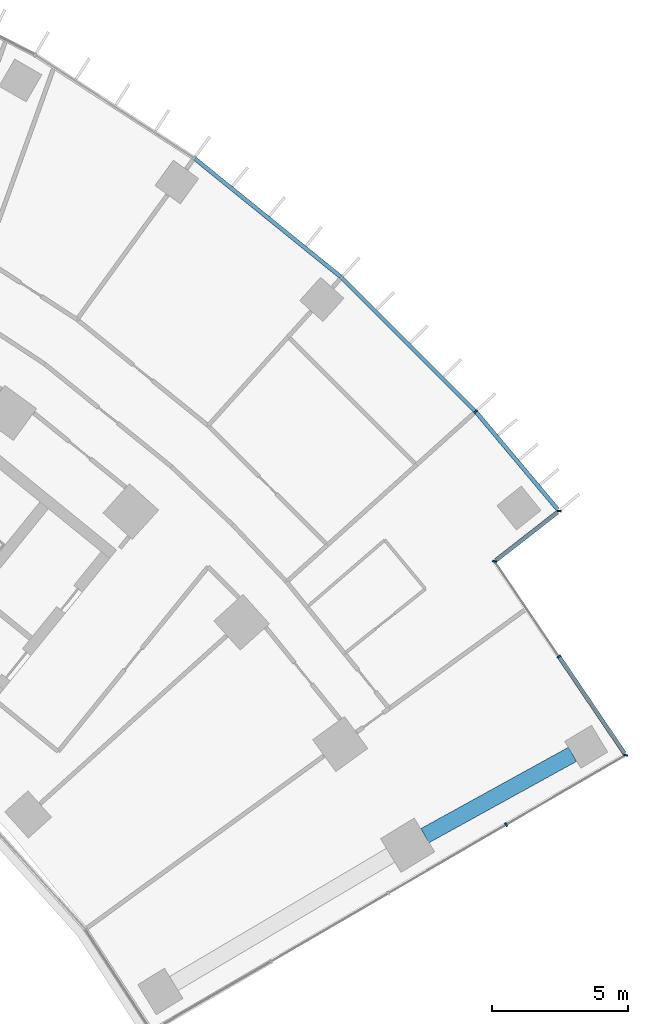
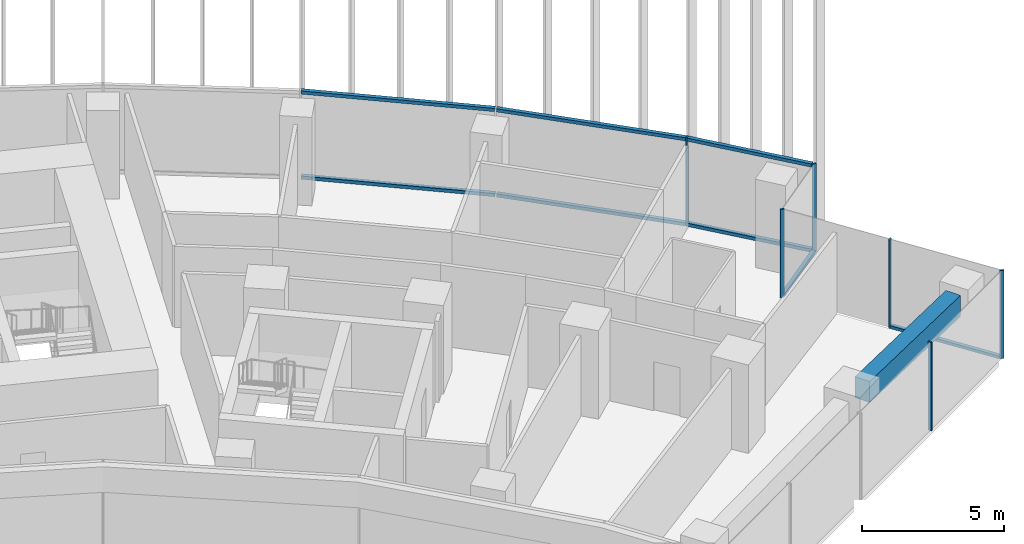
# One storey, part 10 of 22: 14 members, 1 beam, 4 elements without a shape of their own.
"""IFC4 building model written with IfcOpenShell, lengths in metres."""

from ifc_helpers import new_model, si_unit, direction, frame, origin, origin_2d, place, context, subcontext, project, spatial, rectangle, extrude, material, layer, layer_set, material_profile, profile_set, type_object, element, aggregate, save


model = new_model("IFC4")

# Units and contexts
model_context = context("Model", 3, precision=1e-05, world=origin(), true_north=direction((0.0, 1.0)))
body_context = subcontext(model_context, "Body", "Model", "MODEL_VIEW")
ifc_project = project(units=[si_unit("LENGTHUNIT", "METRE"), si_unit("AREAUNIT", "SQUARE_METRE"), si_unit("VOLUMEUNIT", "CUBIC_METRE"), si_unit("PLANEANGLEUNIT", "RADIAN"), si_unit("MASSUNIT", "GRAM", prefix="KILO")], contexts=[model_context])

# Site, building, storey
site_placement = place(None, origin())
site = spatial("IfcSite", under=ifc_project, at=site_placement, CompositionType="ELEMENT")
building_placement = place(site_placement, origin())
building = spatial("IfcBuilding", under=site, at=building_placement, Name="Stone Belt Terrace Tower", CompositionType="ELEMENT")
storey_placement = place(building_placement, frame((0.0, 0.0, 109.800048828125)))
storey = spatial("IfcBuildingStorey", under=building, at=storey_placement, Name="L26", CompositionType="ELEMENT", Elevation=109.800048828125)

# Curtain wall, members
ifc_material_1 = material(Name="Aluminium 6063-T6 anodised frame", Category="aluminium")
ifc_layer_1 = layer(ifc_material_1, 0.14990234375)
ifc_layer_set_1 = layer_set([ifc_layer_1], Name="CW-A unitised convex-face curtain wall")
curtain_wall_type_1 = type_object("IfcCurtainWallType", Name="CW-A unitised convex-face curtain wall", PredefinedType="NOTDEFINED", material=ifc_layer_set_1)
curtain_wall_1_placement = place(storey_placement, origin())
curtain_wall_1 = element("IfcCurtainWall", 1, at=curtain_wall_1_placement, inside=storey, type_object=curtain_wall_type_1, Name="CW-A convex face L26", PredefinedType="NOTDEFINED")
ifc_material_profile_1 = material_profile(ifc_material_1, rectangle(XDim=0.14990234375, YDim=0.06005859375, at=origin_2d()), Name="Aluminium 6063-T6 60x150")
ifc_profile_set_1 = profile_set([ifc_material_profile_1], Name="Aluminium 6063-T6 anodised frame")
member_type_1 = type_object("IfcMemberType", Name="CW-A mullion 60 x 150", PredefinedType="MULLION", material=ifc_profile_set_1)
member_1_placement = place(storey_placement, frame((52.539794921875, 40.89208984375, 0.0), z_axis=(0.0, 0.0, 1.0), x_axis=(-0.994464768622, 0.105070566623, 0.0)))
member_1 = element("IfcMember", 2, at=member_1_placement, type_object=member_type_1, Name="CW-A mullion 1", PredefinedType="MULLION", context=body_context, shape_type="SweptSolid", body=[
    extrude(rectangle(XDim=0.14990234375, YDim=0.06005859375, at=origin_2d()), origin(), (0.0, 0.0, 1.0), 3.800048828125),
])
member_2_placement = place(storey_placement, frame((49.474609375, 44.5478515625, 0.0), z_axis=(0.0, 0.0, 1.0), x_axis=(-0.737400080522, -0.675456231925, 0.0)))
member_2 = element("IfcMember", 3, at=member_2_placement, type_object=member_type_1, Name="CW-A mullion 2", PredefinedType="MULLION", context=body_context, shape_type="SweptSolid", body=[
    extrude(rectangle(XDim=0.14990234375, YDim=0.06005859375, at=origin_2d()), origin(), (0.0, 0.0, 1.0), 3.800048828125),
])
ifc_material_profile_2 = material_profile(ifc_material_1, rectangle(XDim=0.14990234375, YDim=0.139892578125, at=origin_2d()), Name="Aluminium 6063-T6 150x140")
ifc_profile_set_2 = profile_set([ifc_material_profile_2], Name="Aluminium 6063-T6 anodised frame")
member_type_2 = type_object("IfcMemberType", Name="CW-A transom 140 x 150", PredefinedType="USERDEFINED", material=ifc_profile_set_2)
member_3_placement = place(storey_placement, frame((52.49169921875, 40.949462890625, 0.070068359375), z_axis=(-0.642504178028, 0.766282181195, 0.0), x_axis=(-0.766282181195, -0.642504178028, 0.0)))
member_3 = element("IfcMember", 4, at=member_3_placement, type_object=member_type_2, Name="CW-A transom 1.1", ObjectType="TRANSOM", PredefinedType="USERDEFINED", context=body_context, shape_type="SweptSolid", body=[
    extrude(rectangle(XDim=0.14990234375, YDim=0.139892578125, at=origin_2d()), origin(), (0.0, 0.0, 1.0), 4.662841796875),
])
member_4_placement = place(storey_placement, frame((52.49169921875, 40.949462890625, 3.72998046875), z_axis=(-0.642504178028, 0.766282181195, 0.0), x_axis=(-0.766282181195, -0.642504178028, 0.0)))
member_4 = element("IfcMember", 5, at=member_4_placement, type_object=member_type_2, Name="CW-A transom 1.2", ObjectType="TRANSOM", PredefinedType="USERDEFINED", context=body_context, shape_type="SweptSolid", body=[
    extrude(rectangle(XDim=0.14990234375, YDim=0.139892578125, at=origin_2d()), origin(), (0.0, 0.0, 1.0), 4.662841796875),
])
member_5_placement = place(storey_placement, frame((49.450927734375, 44.5712890625, 0.070068359375), z_axis=(-0.707106781187, 0.707106781187, 0.0), x_axis=(-0.707106781187, -0.707106781187, 0.0)))
member_5 = element("IfcMember", 6, at=member_5_placement, type_object=member_type_2, Name="CW-A transom 2.1", ObjectType="TRANSOM", PredefinedType="USERDEFINED", context=body_context, shape_type="SweptSolid", body=[
    extrude(rectangle(XDim=0.14990234375, YDim=0.139892578125, at=origin_2d()), origin(), (0.0, 0.0, 1.0), 6.90087890625),
])
member_6_placement = place(storey_placement, frame((49.450927734375, 44.5712890625, 3.72998046875), z_axis=(-0.707106781187, 0.707106781187, 0.0), x_axis=(-0.707106781187, -0.707106781187, 0.0)))
member_6 = element("IfcMember", 7, at=member_6_placement, type_object=member_type_2, Name="CW-A transom 2.2", ObjectType="TRANSOM", PredefinedType="USERDEFINED", context=body_context, shape_type="SweptSolid", body=[
    extrude(rectangle(XDim=0.14990234375, YDim=0.139892578125, at=origin_2d()), origin(), (0.0, 0.0, 1.0), 6.90087890625),
])
member_7_placement = place(storey_placement, frame((44.52099609375, 49.496337890625, 0.070068359375), z_axis=(-0.777141048626, 0.629326457842, 0.0), x_axis=(-0.629326457842, -0.777141048626, 0.0)))
member_7 = element("IfcMember", 8, at=member_7_placement, type_object=member_type_2, Name="CW-A transom 3.1", ObjectType="TRANSOM", PredefinedType="USERDEFINED", context=body_context, shape_type="SweptSolid", body=[
    extrude(rectangle(XDim=0.14990234375, YDim=0.139892578125, at=origin_2d()), origin(), (0.0, 0.0, 1.0), 6.900634765625),
])
member_8_placement = place(storey_placement, frame((44.52099609375, 49.496337890625, 3.72998046875), z_axis=(-0.777141048626, 0.629326457842, 0.0), x_axis=(-0.629326457842, -0.777141048626, 0.0)))
member_8 = element("IfcMember", 9, at=member_8_placement, type_object=member_type_2, Name="CW-A transom 3.2", ObjectType="TRANSOM", PredefinedType="USERDEFINED", context=body_context, shape_type="SweptSolid", body=[
    extrude(rectangle(XDim=0.14990234375, YDim=0.139892578125, at=origin_2d()), origin(), (0.0, 0.0, 1.0), 6.900634765625),
])
aggregate(curtain_wall_1, [member_1, member_2, member_3, member_4, member_5, member_6, member_7, member_8])

# Curtain wall, member
ifc_layer_2 = layer(ifc_material_1, 0.14990234375)
ifc_layer_set_2 = layer_set([ifc_layer_2], Name="CW-C stick curtain wall, horn ends and notches")
curtain_wall_type_2 = type_object("IfcCurtainWallType", Name="CW-C stick curtain wall, horn ends and notches", PredefinedType="NOTDEFINED", material=ifc_layer_set_2)
curtain_wall_2_placement = place(storey_placement, origin())
curtain_wall_2 = element("IfcCurtainWall", 10, at=curtain_wall_2_placement, inside=storey, type_object=curtain_wall_type_2, Name="CW-C end face L26", PredefinedType="NOTDEFINED")
ifc_material_profile_3 = material_profile(ifc_material_1, rectangle(XDim=0.14990234375, YDim=0.06005859375, at=origin_2d()), Name="Aluminium 6063-T6 60x150")
ifc_profile_set_3 = profile_set([ifc_material_profile_3], Name="Aluminium 6063-T6 anodised frame")
member_type_3 = type_object("IfcMemberType", Name="CW-C mullion 60 x 150", PredefinedType="MULLION", material=ifc_profile_set_3)
member_9_placement = place(storey_placement, frame((50.595703125, 29.365478515625, 0.0), z_axis=(0.0, 0.0, 1.0), x_axis=(-0.503080901861, 0.864239322284, 0.0)))
member_9 = element("IfcMember", 11, at=member_9_placement, type_object=member_type_3, Name="CW-C mullion 4", PredefinedType="MULLION", context=body_context, shape_type="SweptSolid", body=[
    extrude(rectangle(XDim=0.14990234375, YDim=0.06005859375, at=origin_2d()), origin(), (0.0, 0.0, 1.0), 3.800048828125),
])
aggregate(curtain_wall_2, [member_9])

# Curtain wall, members
curtain_wall_3_placement = place(storey_placement, origin())
curtain_wall_3 = element("IfcCurtainWall", 12, at=curtain_wall_3_placement, inside=storey, type_object=curtain_wall_type_2, Name="CW-C notch face L26", PredefinedType="NOTDEFINED")
member_10_placement = place(storey_placement, frame((54.986328125, 31.921142578125, 0.0), z_axis=(0.0, 0.0, 1.0), x_axis=(-0.974926991266, 0.222524968715, 0.0)))
member_10 = element("IfcMember", 13, at=member_10_placement, type_object=member_type_3, Name="CW-C mullion 1", PredefinedType="MULLION", context=body_context, shape_type="SweptSolid", body=[
    extrude(rectangle(XDim=0.14990234375, YDim=0.06005859375, at=origin_2d()), origin(), (0.0, 0.0, 1.0), 3.800048828125),
])
member_11_placement = place(storey_placement, frame((52.53515625, 35.5439453125, 0.0), z_axis=(0.0, 0.0, 1.0), x_axis=(-0.828244257471, -0.560367245622, 0.0)))
member_11 = element("IfcMember", 14, at=member_11_placement, type_object=member_type_3, Name="CW-C mullion 2", PredefinedType="MULLION", context=body_context, shape_type="SweptSolid", body=[
    extrude(rectangle(XDim=0.14990234375, YDim=0.06005859375, at=origin_2d()), origin(), (0.0, 0.0, 1.0), 3.800048828125),
])

# Curtain wall, member
curtain_wall_4_placement = place(storey_placement, origin())
curtain_wall_4 = element("IfcCurtainWall", 15, at=curtain_wall_4_placement, inside=storey, type_object=curtain_wall_type_2, Name="CW-C notch face L26", PredefinedType="NOTDEFINED")
member_12_placement = place(storey_placement, frame((50.16845703125, 39.0419921875, 0.0), z_axis=(0.0, 0.0, 1.0), x_axis=(-0.987742281651, 0.156093513764, 0.0)))
member_12 = element("IfcMember", 16, at=member_12_placement, type_object=member_type_3, Name="CW-C mullion 1", PredefinedType="MULLION", context=body_context, shape_type="SweptSolid", body=[
    extrude(rectangle(XDim=0.14990234375, YDim=0.06005859375, at=origin_2d()), origin(), (0.0, 0.0, 1.0), 3.800048828125),
])

# Member
ifc_material_profile_4 = material_profile(ifc_material_1, rectangle(XDim=0.14990234375, YDim=0.1201171875, at=origin_2d()), Name="Aluminium 6063-T6 150x120")
ifc_profile_set_4 = profile_set([ifc_material_profile_4], Name="Aluminium 6063-T6 anodised frame")
member_type_4 = type_object("IfcMemberType", Name="CW-C transom 120 x 150", PredefinedType="USERDEFINED", material=ifc_profile_set_4)
member_13_placement = place(storey_placement, frame((54.944091796875, 31.983642578125, 0.06005859375), z_axis=(-0.560388995766, 0.828229541507, 0.0), x_axis=(-0.828229541507, -0.560388995766, 0.0)))
member_13 = element("IfcMember", 17, at=member_13_placement, type_object=member_type_4, Name="CW-C transom 1.1", ObjectType="TRANSOM", PredefinedType="USERDEFINED", context=body_context, shape_type="SweptSolid", body=[
    extrude(rectangle(XDim=0.14990234375, YDim=0.1201171875, at=origin_2d()), origin(), (0.0, 0.0, 1.0), 4.2685546875),
])

aggregate(curtain_wall_3, [member_10, member_11, member_13])

member_14_placement = place(storey_placement, frame((50.22607421875, 39.087158203125, 0.06005859375), z_axis=(0.788505618167, 0.615027552325, 0.0), x_axis=(-0.615027552325, 0.788505618167, 0.0)))
member_14 = element("IfcMember", 18, at=member_14_placement, type_object=member_type_4, Name="CW-C transom 1.1", ObjectType="TRANSOM", PredefinedType="USERDEFINED", context=body_context, shape_type="SweptSolid", body=[
    extrude(rectangle(XDim=0.14990234375, YDim=0.1201171875, at=origin_2d()), origin(), (0.0, 0.0, 1.0), 2.859619140625),
])

aggregate(curtain_wall_4, [member_12, member_14])

# Beam
ifc_material_2 = material(Name="Concrete B60", Category="concrete")
ifc_material_profile_5 = material_profile(ifc_material_2, rectangle(XDim=0.60009765625, YDim=0.89990234375, at=origin_2d()), Name="RC 600x900")
ifc_profile_set_5 = profile_set([ifc_material_profile_5], Name="Concrete B60")
beam_type = type_object("IfcBeamType", Name="Edge beam RC 600x900 B60", PredefinedType="SPANDREL", material=ifc_profile_set_5)
beam_placement = place(storey_placement, frame((47.6083984375, 28.960693359375, 3.030029296875), z_axis=(0.875764462498, 0.482738652094, 0.0), x_axis=(-0.482738652094, 0.875764462498, 0.0)))
element("IfcBeam", 19, at=beam_placement, inside=storey, type_object=beam_type, Name="Edge beam L26 B Q to R", PredefinedType="SPANDREL", context=body_context, shape_type="SweptSolid", body=[
    extrude(rectangle(XDim=0.60009765625, YDim=0.89990234375, at=origin_2d()), origin(), (0.0, 0.0, 1.0), 6.19384765625),
])

save(model, "model.ifc")
